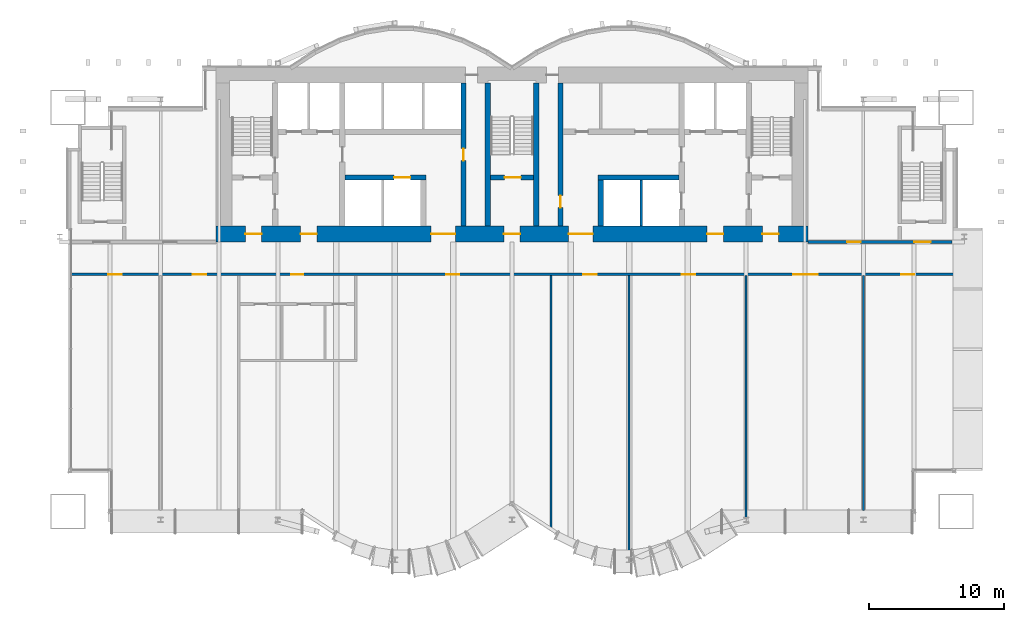
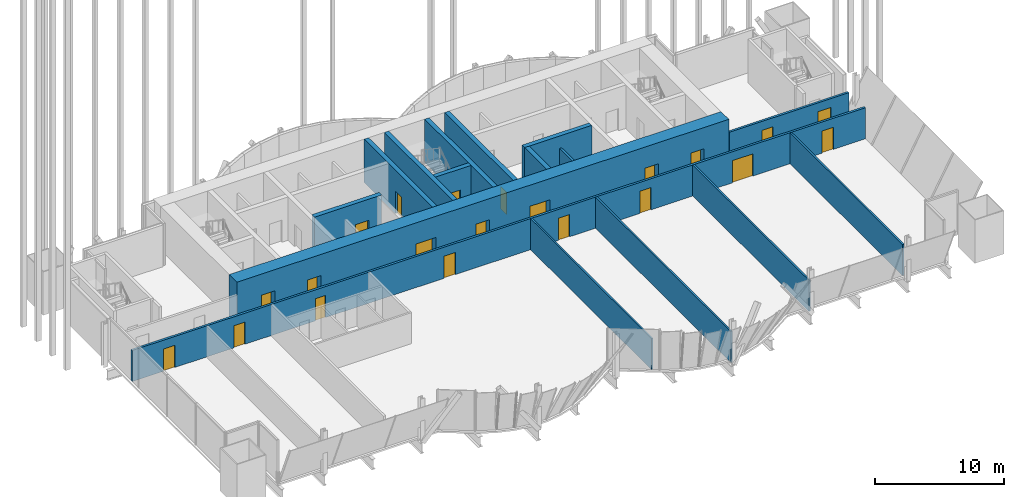
# One storey, part 29 of 33: 21 doors, 16 walls, 21 openings.
"""IFC4 building model written with IfcOpenShell, lengths in metres."""

from ifc_helpers import new_model, si_unit, direction, frame, frame_2d, origin, place, context, subcontext, project, spatial, rectangle, extrude, material, layer, layer_set, type_object, element, fill, save


model = new_model("IFC4")

# Units and contexts
model_context = context("Model", 3, precision=1e-05, world=origin(), true_north=direction((0.0, 1.0)))
body_context = subcontext(model_context, "Body", "Model", "MODEL_VIEW")
ifc_project = project(units=[si_unit("LENGTHUNIT", "METRE"), si_unit("AREAUNIT", "SQUARE_METRE"), si_unit("VOLUMEUNIT", "CUBIC_METRE"), si_unit("PLANEANGLEUNIT", "RADIAN"), si_unit("MASSUNIT", "GRAM", prefix="KILO")], contexts=[model_context])

# Site, building, storey
site_placement = place(None, origin())
site = spatial("IfcSite", under=ifc_project, at=site_placement, CompositionType="ELEMENT")
building_placement = place(site_placement, origin())
building = spatial("IfcBuilding", under=site, at=building_placement, Name="Bicima Exchange Tower", CompositionType="ELEMENT")
storey_placement = place(building_placement, frame((0.0, 0.0, 140.39990234375)))
storey = spatial("IfcBuildingStorey", under=building, at=storey_placement, Name="L30", CompositionType="ELEMENT", Elevation=140.39990234375)

# Wall
ifc_material_1 = material(Name="Gypsum board partition")
ifc_layer_1 = layer(ifc_material_1, 0.199951171875)
ifc_layer_set_1 = layer_set([ifc_layer_1], Name="Gypsum board partition")
wall_type_1 = type_object("IfcWallType", Name="Fire-rated gypsum partition 200 EI120", PredefinedType="PARTITIONING", material=ifc_layer_set_1)
wall_1_placement = place(storey_placement, frame((9.60009765625, -11.800048828125, 0.0), z_axis=(0.0, 0.0, 1.0), x_axis=(0.0, 1.0, 0.0)))
element("IfcWall", 1, at=wall_1_placement, inside=storey, type_object=wall_type_1, Name="partition wall 21", PredefinedType="PARTITIONING", context=body_context, shape_type="SweptSolid", body=[
    extrude(rectangle(XDim=3.400146484375, YDim=0.199951171875, at=frame_2d((1.7001953125, 0.0))), origin(), (0.0, 0.0, 1.0), 2.939453125),
])

# Wall, openings, doors
ifc_layer_2 = layer(ifc_material_1, 0.199951171875)
ifc_layer_set_2 = layer_set([ifc_layer_2], Name="Gypsum board partition")
wall_type_2 = type_object("IfcWallType", Name="Fire-rated gypsum partition 200 EI60", PredefinedType="PARTITIONING", material=ifc_layer_set_2)
wall_2_placement = place(storey_placement, frame((-32.7900390625, -15.39990234375, 0.0), z_axis=(0.0, 0.0, 1.0), x_axis=(1.0, 0.0, 0.0)))
wall_2 = element("IfcWall", 2, at=wall_2_placement, inside=storey, type_object=wall_type_2, Name="partition wall 3", PredefinedType="PARTITIONING", context=body_context, shape_type="SweptSolid", body=[
    extrude(rectangle(XDim=65.580078125, YDim=0.199951171875, at=frame_2d((32.7900390625, 0.0))), origin(), (0.0, 0.0, 1.0), 2.939453125),
])
opening_1_placement = place(wall_2_placement, frame((2.800048828125, 0.0, 0.0)))
opening_1 = element("IfcOpeningElement", 3, at=opening_1_placement, cuts=wall_2, Name="Opening L30-007", PredefinedType="OPENING", context=body_context, shape_type="SweptSolid", body=[
    extrude(rectangle(XDim=1.0, YDim=2.10009765625, at=frame_2d((0.5, 1.050048828125))), frame((0.0, 0.11181640625, 0.0), z_axis=(0.0, -1.0, 0.0), x_axis=(1.0, 0.0, 0.0)), (0.0, 0.0, 1.0), 0.223876953125),
])
opening_2_placement = place(wall_2_placement, frame((9.090087890625, 0.0, 0.0)))
opening_2 = element("IfcOpeningElement", 4, at=opening_2_placement, cuts=wall_2, Name="Opening L30-008", PredefinedType="OPENING", context=body_context, shape_type="SweptSolid", body=[
    extrude(rectangle(XDim=1.0, YDim=2.10009765625, at=frame_2d((0.5, 1.050048828125))), frame((0.0, 0.11181640625, 0.0), z_axis=(0.0, -1.0, 0.0), x_axis=(1.0, 0.0, 0.0)), (0.0, 0.0, 1.0), 0.223876953125),
])
opening_3_placement = place(wall_2_placement, frame((16.389892578125, 0.0, 0.0)))
opening_3 = element("IfcOpeningElement", 5, at=opening_3_placement, cuts=wall_2, Name="Opening L30-009", PredefinedType="OPENING", context=body_context, shape_type="SweptSolid", body=[
    extrude(rectangle(XDim=0.89990234375, YDim=2.10009765625, at=frame_2d((0.449951171875, 1.050048828125))), frame((0.0, 0.11181640625, 0.0), z_axis=(0.0, -1.0, 0.0), x_axis=(1.0, 0.0, 0.0)), (0.0, 0.0, 1.0), 0.223876953125),
])
opening_4_placement = place(wall_2_placement, frame((27.889892578125, 0.0, 0.0)))
opening_4 = element("IfcOpeningElement", 6, at=opening_4_placement, cuts=wall_2, Name="Opening L30-013", PredefinedType="OPENING", context=body_context, shape_type="SweptSolid", body=[
    extrude(rectangle(XDim=1.0, YDim=2.10009765625, at=frame_2d((0.5, 1.050048828125))), frame((0.0, 0.11181640625, 0.0), z_axis=(0.0, -1.0, 0.0), x_axis=(1.0, 0.0, 0.0)), (0.0, 0.0, 1.0), 0.223876953125),
])
opening_5_placement = place(wall_2_placement, frame((38.090087890625, 0.0, 0.0)))
opening_5 = element("IfcOpeningElement", 7, at=opening_5_placement, cuts=wall_2, Name="Opening L30-014", PredefinedType="OPENING", context=body_context, shape_type="SweptSolid", body=[
    extrude(rectangle(XDim=1.0, YDim=2.10009765625, at=frame_2d((0.5, 1.050048828125))), frame((0.0, 0.11181640625, 0.0), z_axis=(0.0, -1.0, 0.0), x_axis=(1.0, 0.0, 0.0)), (0.0, 0.0, 1.0), 0.223876953125),
])
opening_6_placement = place(wall_2_placement, frame((45.389892578125, 0.0, 0.0)))
opening_6 = element("IfcOpeningElement", 8, at=opening_6_placement, cuts=wall_2, Name="Opening L30-015", PredefinedType="OPENING", context=body_context, shape_type="SweptSolid", body=[
    extrude(rectangle(XDim=1.0, YDim=2.10009765625, at=frame_2d((0.5, 1.050048828125))), frame((0.0, 0.11181640625, 0.0), z_axis=(0.0, -1.0, 0.0), x_axis=(1.0, 0.0, 0.0)), (0.0, 0.0, 1.0), 0.223876953125),
])
opening_7_placement = place(wall_2_placement, frame((53.68994140625, 0.0, 0.0)))
opening_7 = element("IfcOpeningElement", 9, at=opening_7_placement, cuts=wall_2, Name="Opening L30-016", PredefinedType="OPENING", context=body_context, shape_type="SweptSolid", body=[
    extrude(rectangle(XDim=1.800048828125, YDim=2.10009765625, at=frame_2d((0.89990234375, 1.050048828125))), frame((0.0, 0.11181640625, 0.0), z_axis=(0.0, -1.0, 0.0), x_axis=(1.0, 0.0, 0.0)), (0.0, 0.0, 1.0), 0.223876953125),
])
opening_8_placement = place(wall_2_placement, frame((61.68994140625, 0.0, 0.0)))
opening_8 = element("IfcOpeningElement", 10, at=opening_8_placement, cuts=wall_2, Name="Opening L30-017", PredefinedType="OPENING", context=body_context, shape_type="SweptSolid", body=[
    extrude(rectangle(XDim=1.0, YDim=2.10009765625, at=frame_2d((0.5, 1.050048828125))), frame((0.0, 0.11181640625, 0.0), z_axis=(0.0, -1.0, 0.0), x_axis=(1.0, 0.0, 0.0)), (0.0, 0.0, 1.0), 0.223876953125),
])
ifc_material_2 = material(Name="Steel fire door leaf", Category="steel")
door_type_1 = type_object("IfcDoorType", Name="Door 1000 swing FD30S", OperationType="SINGLE_SWING_LEFT", PredefinedType="DOOR", material=ifc_material_2)
door_1_placement = place(opening_1_placement, frame((1.0, 0.0, 0.0), z_axis=(0.0, 0.0, 1.0), x_axis=(-1.0, 0.0, 0.0)))
door_1 = element("IfcDoor", 11, at=door_1_placement, inside=storey, type_object=door_type_1, Name="Door", OperationType="SINGLE_SWING_LEFT", OverallHeight=2.10009765625, OverallWidth=1.0, PredefinedType="DOOR", context=body_context, shape_type="SweptSolid", body=[
    extrude(rectangle(XDim=1.0, YDim=2.10009765625, at=frame_2d((0.5, 1.050048828125))), frame((0.0, 0.02490234375, 0.0), z_axis=(0.0, -1.0, 0.0), x_axis=(1.0, 0.0, 0.0)), (0.0, 0.0, 1.0), 0.050048828125),
])
fill(opening_1, door_1)
door_2_placement = place(opening_2_placement, frame((1.0, 0.0, 0.0), z_axis=(0.0, 0.0, 1.0), x_axis=(-1.0, 0.0, 0.0)))
door_2 = element("IfcDoor", 12, at=door_2_placement, inside=storey, type_object=door_type_1, Name="Door", OperationType="SINGLE_SWING_RIGHT", OverallHeight=2.10009765625, OverallWidth=1.0, PredefinedType="DOOR", context=body_context, shape_type="SweptSolid", body=[
    extrude(rectangle(XDim=1.0, YDim=2.10009765625, at=frame_2d((0.5, 1.050048828125))), frame((0.0, 0.02490234375, 0.0), z_axis=(0.0, -1.0, 0.0), x_axis=(1.0, 0.0, 0.0)), (0.0, 0.0, 1.0), 0.050048828125),
])
fill(opening_2, door_2)
door_3_placement = place(opening_4_placement, frame((1.0, 0.0, 0.0), z_axis=(0.0, 0.0, 1.0), x_axis=(-1.0, 0.0, 0.0)))
door_3 = element("IfcDoor", 13, at=door_3_placement, inside=storey, type_object=door_type_1, Name="Door", OperationType="SINGLE_SWING_LEFT", OverallHeight=2.10009765625, OverallWidth=1.0, PredefinedType="DOOR", context=body_context, shape_type="SweptSolid", body=[
    extrude(rectangle(XDim=1.0, YDim=2.10009765625, at=frame_2d((0.5, 1.050048828125))), frame((0.0, 0.02490234375, 0.0), z_axis=(0.0, -1.0, 0.0), x_axis=(1.0, 0.0, 0.0)), (0.0, 0.0, 1.0), 0.050048828125),
])
fill(opening_4, door_3)
door_4_placement = place(opening_5_placement, frame((1.0, 0.0, 0.0), z_axis=(0.0, 0.0, 1.0), x_axis=(-1.0, 0.0, 0.0)))
door_4 = element("IfcDoor", 14, at=door_4_placement, inside=storey, type_object=door_type_1, Name="Door", OperationType="SINGLE_SWING_RIGHT", OverallHeight=2.10009765625, OverallWidth=1.0, PredefinedType="DOOR", context=body_context, shape_type="SweptSolid", body=[
    extrude(rectangle(XDim=1.0, YDim=2.10009765625, at=frame_2d((0.5, 1.050048828125))), frame((0.0, 0.02490234375, 0.0), z_axis=(0.0, -1.0, 0.0), x_axis=(1.0, 0.0, 0.0)), (0.0, 0.0, 1.0), 0.050048828125),
])
fill(opening_5, door_4)
door_5_placement = place(opening_6_placement, frame((1.0, 0.0, 0.0), z_axis=(0.0, 0.0, 1.0), x_axis=(-1.0, 0.0, 0.0)))
door_5 = element("IfcDoor", 15, at=door_5_placement, inside=storey, type_object=door_type_1, Name="Door", OperationType="SINGLE_SWING_RIGHT", OverallHeight=2.10009765625, OverallWidth=1.0, PredefinedType="DOOR", context=body_context, shape_type="SweptSolid", body=[
    extrude(rectangle(XDim=1.0, YDim=2.10009765625, at=frame_2d((0.5, 1.050048828125))), frame((0.0, 0.02490234375, 0.0), z_axis=(0.0, -1.0, 0.0), x_axis=(1.0, 0.0, 0.0)), (0.0, 0.0, 1.0), 0.050048828125),
])
fill(opening_6, door_5)
door_6_placement = place(opening_8_placement, frame((1.0, 0.0, 0.0), z_axis=(0.0, 0.0, 1.0), x_axis=(-1.0, 0.0, 0.0)))
door_6 = element("IfcDoor", 16, at=door_6_placement, inside=storey, type_object=door_type_1, Name="Door", OperationType="SINGLE_SWING_RIGHT", OverallHeight=2.10009765625, OverallWidth=1.0, PredefinedType="DOOR", context=body_context, shape_type="SweptSolid", body=[
    extrude(rectangle(XDim=1.0, YDim=2.10009765625, at=frame_2d((0.5, 1.050048828125))), frame((0.0, 0.02490234375, 0.0), z_axis=(0.0, -1.0, 0.0), x_axis=(1.0, 0.0, 0.0)), (0.0, 0.0, 1.0), 0.050048828125),
])
fill(opening_8, door_6)
door_type_2 = type_object("IfcDoorType", Name="Door 1800 double swing FD30S", OperationType="DOUBLE_DOOR_SINGLE_SWING", PredefinedType="DOOR", material=ifc_material_2)
door_7_placement = place(opening_7_placement, origin())
door_7 = element("IfcDoor", 17, at=door_7_placement, inside=storey, type_object=door_type_2, Name="Door", OperationType="SINGLE_SWING_LEFT", OverallHeight=2.10009765625, OverallWidth=1.800048828125, PredefinedType="DOOR", context=body_context, shape_type="SweptSolid", body=[
    extrude(rectangle(XDim=1.800048828125, YDim=2.10009765625, at=frame_2d((0.89990234375, 1.050048828125))), frame((0.0, 0.02490234375, 0.0), z_axis=(0.0, -1.0, 0.0), x_axis=(1.0, 0.0, 0.0)), (0.0, 0.0, 1.0), 0.050048828125),
])
fill(opening_7, door_7)
door_type_3 = type_object("IfcDoorType", Name="Door 900 swing FD30S", OperationType="SINGLE_SWING_LEFT", PredefinedType="DOOR", material=ifc_material_2)
door_8_placement = place(opening_3_placement, frame((0.89990234375, 0.0, 0.0), z_axis=(0.0, 0.0, 1.0), x_axis=(-1.0, 0.0, 0.0)))
door_8 = element("IfcDoor", 18, at=door_8_placement, inside=storey, type_object=door_type_3, Name="Door", OperationType="SINGLE_SWING_RIGHT", OverallHeight=2.10009765625, OverallWidth=0.89990234375, PredefinedType="DOOR", context=body_context, shape_type="SweptSolid", body=[
    extrude(rectangle(XDim=0.89990234375, YDim=2.10009765625, at=frame_2d((0.449951171875, 1.050048828125))), frame((0.0, 0.02490234375, 0.0), z_axis=(0.0, -1.0, 0.0), x_axis=(1.0, 0.0, 0.0)), (0.0, 0.0, 1.0), 0.050048828125),
])
fill(opening_3, door_8)

wall_3_placement = place(storey_placement, frame((22.0, -13.0, 0.0), z_axis=(0.0, 0.0, 1.0), x_axis=(1.0, 0.0, 0.0)))
wall_3 = element("IfcWall", 19, at=wall_3_placement, inside=storey, type_object=wall_type_2, Name="partition wall 5", PredefinedType="PARTITIONING", context=body_context, shape_type="SweptSolid", body=[
    extrude(rectangle(XDim=10.699951171875, YDim=0.199951171875, at=frame_2d((5.35009765625, 0.0))), origin(), (0.0, 0.0, 1.0), 2.939453125),
])
opening_9_placement = place(wall_3_placement, frame((7.89990234375, 0.0, 0.0)))
opening_9 = element("IfcOpeningElement", 20, at=opening_9_placement, cuts=wall_3, Name="Opening L30-003", PredefinedType="OPENING", context=body_context, shape_type="SweptSolid", body=[
    extrude(rectangle(XDim=1.199951171875, YDim=2.10009765625, at=frame_2d((0.60009765625, 1.050048828125))), frame((0.0, 0.11181640625, 0.0), z_axis=(0.0, -1.0, 0.0), x_axis=(1.0, 0.0, 0.0)), (0.0, 0.0, 1.0), 0.223876953125),
])
opening_10_placement = place(wall_3_placement, frame((2.89990234375, 0.0, 0.0)))
opening_10 = element("IfcOpeningElement", 21, at=opening_10_placement, cuts=wall_3, Name="Opening L30-006", PredefinedType="OPENING", context=body_context, shape_type="SweptSolid", body=[
    extrude(rectangle(XDim=1.0, YDim=2.10009765625, at=frame_2d((0.5, 1.050048828125))), frame((0.0, 0.11181640625, 0.0), z_axis=(0.0, -1.0, 0.0), x_axis=(1.0, 0.0, 0.0)), (0.0, 0.0, 1.0), 0.223876953125),
])
door_9_placement = place(opening_10_placement, origin())
door_9 = element("IfcDoor", 22, at=door_9_placement, inside=storey, type_object=door_type_1, Name="Door", OperationType="SINGLE_SWING_RIGHT", OverallHeight=2.10009765625, OverallWidth=1.0, PredefinedType="DOOR", context=body_context, shape_type="SweptSolid", body=[
    extrude(rectangle(XDim=1.0, YDim=2.10009765625, at=frame_2d((0.5, 1.050048828125))), frame((0.0, 0.02490234375, 0.0), z_axis=(0.0, -1.0, 0.0), x_axis=(1.0, 0.0, 0.0)), (0.0, 0.0, 1.0), 0.050048828125),
])
fill(opening_10, door_9)
door_type_4 = type_object("IfcDoorType", Name="Door 1200 swing FD30S", OperationType="SINGLE_SWING_LEFT", PredefinedType="DOOR", material=ifc_material_2)
door_10_placement = place(opening_9_placement, origin())
door_10 = element("IfcDoor", 23, at=door_10_placement, inside=storey, type_object=door_type_4, Name="Door", OperationType="SINGLE_SWING_RIGHT", OverallHeight=2.10009765625, OverallWidth=1.199951171875, PredefinedType="DOOR", context=body_context, shape_type="SweptSolid", body=[
    extrude(rectangle(XDim=1.199951171875, YDim=2.10009765625, at=frame_2d((0.60009765625, 1.050048828125))), frame((0.0, 0.02490234375, 0.0), z_axis=(0.0, -1.0, 0.0), x_axis=(1.0, 0.0, 0.0)), (0.0, 0.0, 1.0), 0.050048828125),
])
fill(opening_9, door_10)

# Walls
ifc_layer_3 = layer(ifc_material_1, 0.14990234375)
ifc_layer_set_3 = layer_set([ifc_layer_3], Name="Gypsum board partition")
wall_type_3 = type_object("IfcWallType", Name="Gypsum partition 150", PredefinedType="PARTITIONING", material=ifc_layer_set_3)
wall_4_placement = place(storey_placement, frame((2.89990234375, -34.199951171875, 0.0), z_axis=(0.0, 0.0, 1.0), x_axis=(0.0, 1.0, 0.0)))
element("IfcWall", 24, at=wall_4_placement, inside=storey, type_object=wall_type_3, Name="partition wall 20", PredefinedType="PARTITIONING", context=body_context, shape_type="SweptSolid", body=[
    extrude(rectangle(XDim=18.699951171875, YDim=0.14990234375, at=frame_2d((9.35009765625, 0.0))), origin(), (0.0, 0.0, 1.0), 2.939453125),
])
wall_5_placement = place(storey_placement, frame((8.699951171875, -36.4892578125, 0.0), z_axis=(0.0, 0.0, 1.0), x_axis=(0.0, 1.0, 0.0)))
element("IfcWall", 25, at=wall_5_placement, inside=storey, type_object=wall_type_3, Name="partition wall 21", PredefinedType="PARTITIONING", context=body_context, shape_type="SweptSolid", body=[
    extrude(rectangle(XDim=20.9892578125, YDim=0.14990234375, at=frame_2d((10.49462890625, 0.0))), origin(), (0.0, 0.0, 1.0), 2.939453125),
])
wall_6_placement = place(storey_placement, frame((17.39990234375, -33.508056640625, 0.0), z_axis=(0.0, 0.0, 1.0), x_axis=(0.0, 1.0, 0.0)))
element("IfcWall", 26, at=wall_6_placement, inside=storey, type_object=wall_type_3, Name="partition wall 22", PredefinedType="PARTITIONING", context=body_context, shape_type="SweptSolid", body=[
    extrude(rectangle(XDim=18.008056640625, YDim=0.14990234375, at=frame_2d((9.00390625, 0.0))), origin(), (0.0, 0.0, 1.0), 2.939453125),
])
wall_7_placement = place(storey_placement, frame((26.10009765625, -32.929931640625, 0.0), z_axis=(0.0, 0.0, 1.0), x_axis=(0.0, 1.0, 0.0)))
element("IfcWall", 27, at=wall_7_placement, inside=storey, type_object=wall_type_3, Name="partition wall 23", PredefinedType="PARTITIONING", context=body_context, shape_type="SweptSolid", body=[
    extrude(rectangle(XDim=17.429931640625, YDim=0.14990234375, at=frame_2d((8.71484375, 0.0))), origin(), (0.0, 0.0, 1.0), 2.939453125),
])

# Wall, openings, doors
ifc_material_3 = material(Name="Concrete C50/60", Category="concrete")
ifc_layer_4 = layer(ifc_material_3, 1.199951171875)
ifc_layer_set_4 = layer_set([ifc_layer_4], Name="Concrete C50/60")
wall_type_4 = type_object("IfcWallType", Name="RC core wall 1200 C50/60", PredefinedType="SHEAR", material=ifc_layer_set_4)
wall_8_placement = place(storey_placement, frame((-22.0, -12.39990234375, 0.0), z_axis=(0.0, 0.0, 1.0), x_axis=(1.0, 0.0, 0.0)))
wall_8 = element("IfcWall", 28, at=wall_8_placement, inside=storey, type_object=wall_type_4, Name="Core wall south", PredefinedType="SHEAR", context=body_context, shape_type="SweptSolid", body=[
    extrude(rectangle(XDim=44.0, YDim=1.199951171875, at=frame_2d((22.0, 0.0))), origin(), (0.0, 0.0, 1.0), 4.10009765625),
])
opening_11_placement = place(wall_8_placement, frame((2.199951171875, 0.0, 0.0)))
opening_11 = element("IfcOpeningElement", 29, at=opening_11_placement, cuts=wall_8, Name="Opening L30-C16", PredefinedType="OPENING", context=body_context, shape_type="SweptSolid", body=[
    extrude(rectangle(XDim=1.199951171875, YDim=2.10009765625, at=frame_2d((0.60009765625, 1.050048828125))), frame((0.0, 0.61181640625, 0.0), z_axis=(0.0, -1.0, 0.0), x_axis=(1.0, 0.0, 0.0)), (0.0, 0.0, 1.0), 1.223876953125),
])
opening_12_placement = place(wall_8_placement, frame((21.39990234375, 0.0, 0.0)))
opening_12 = element("IfcOpeningElement", 30, at=opening_12_placement, cuts=wall_8, Name="Opening L30-C17", PredefinedType="OPENING", context=body_context, shape_type="SweptSolid", body=[
    extrude(rectangle(XDim=1.199951171875, YDim=2.10009765625, at=frame_2d((0.60009765625, 1.050048828125))), frame((0.0, 0.61181640625, 0.0), z_axis=(0.0, -1.0, 0.0), x_axis=(1.0, 0.0, 0.0)), (0.0, 0.0, 1.0), 1.223876953125),
])
opening_13_placement = place(wall_8_placement, frame((40.60009765625, 0.0, 0.0)))
opening_13 = element("IfcOpeningElement", 31, at=opening_13_placement, cuts=wall_8, Name="Opening L30-C18", PredefinedType="OPENING", context=body_context, shape_type="SweptSolid", body=[
    extrude(rectangle(XDim=1.199951171875, YDim=2.10009765625, at=frame_2d((0.60009765625, 1.050048828125))), frame((0.0, 0.61181640625, 0.0), z_axis=(0.0, -1.0, 0.0), x_axis=(1.0, 0.0, 0.0)), (0.0, 0.0, 1.0), 1.223876953125),
])
opening_14_placement = place(wall_8_placement, frame((16.0, 0.0, 0.0)))
opening_14 = element("IfcOpeningElement", 32, at=opening_14_placement, cuts=wall_8, Name="Opening L30-C19", PredefinedType="OPENING", context=body_context, shape_type="SweptSolid", body=[
    extrude(rectangle(XDim=1.800048828125, YDim=2.10009765625, at=frame_2d((0.89990234375, 1.050048828125))), frame((0.0, 0.61181640625, 0.0), z_axis=(0.0, -1.0, 0.0), x_axis=(1.0, 0.0, 0.0)), (0.0, 0.0, 1.0), 1.223876953125),
])
opening_15_placement = place(wall_8_placement, frame((6.300048828125, 0.0, 0.0)))
opening_15 = element("IfcOpeningElement", 33, at=opening_15_placement, cuts=wall_8, Name="Opening L30-C20", PredefinedType="OPENING", context=body_context, shape_type="SweptSolid", body=[
    extrude(rectangle(XDim=1.199951171875, YDim=2.10009765625, at=frame_2d((0.60009765625, 1.050048828125))), frame((0.0, 0.61181640625, 0.0), z_axis=(0.0, -1.0, 0.0), x_axis=(1.0, 0.0, 0.0)), (0.0, 0.0, 1.0), 1.223876953125),
])
opening_16_placement = place(wall_8_placement, frame((26.199951171875, 0.0, 0.0)))
opening_16 = element("IfcOpeningElement", 34, at=opening_16_placement, cuts=wall_8, Name="Opening L30-C21", PredefinedType="OPENING", context=body_context, shape_type="SweptSolid", body=[
    extrude(rectangle(XDim=1.800048828125, YDim=2.10009765625, at=frame_2d((0.89990234375, 1.050048828125))), frame((0.0, 0.61181640625, 0.0), z_axis=(0.0, -1.0, 0.0), x_axis=(1.0, 0.0, 0.0)), (0.0, 0.0, 1.0), 1.223876953125),
])
opening_17_placement = place(wall_8_placement, frame((36.5, 0.0, 0.0)))
opening_17 = element("IfcOpeningElement", 35, at=opening_17_placement, cuts=wall_8, Name="Opening L30-C22", PredefinedType="OPENING", context=body_context, shape_type="SweptSolid", body=[
    extrude(rectangle(XDim=1.199951171875, YDim=2.10009765625, at=frame_2d((0.60009765625, 1.050048828125))), frame((0.0, 0.61181640625, 0.0), z_axis=(0.0, -1.0, 0.0), x_axis=(1.0, 0.0, 0.0)), (0.0, 0.0, 1.0), 1.223876953125),
])
door_type_5 = type_object("IfcDoorType", Name="Door 1200 swing FD60S", OperationType="SINGLE_SWING_LEFT", PredefinedType="DOOR", material=ifc_material_2)
door_11_placement = place(opening_11_placement, frame((1.199951171875, 0.0, 0.0), z_axis=(0.0, 0.0, 1.0), x_axis=(-1.0, 0.0, 0.0)))
door_11 = element("IfcDoor", 36, at=door_11_placement, inside=storey, type_object=door_type_5, Name="Core door", OperationType="SINGLE_SWING_RIGHT", OverallHeight=2.10009765625, OverallWidth=1.199951171875, PredefinedType="DOOR", context=body_context, shape_type="SweptSolid", body=[
    extrude(rectangle(XDim=1.199951171875, YDim=2.10009765625, at=frame_2d((0.60009765625, 1.050048828125))), frame((0.0, 0.02490234375, 0.0), z_axis=(0.0, -1.0, 0.0), x_axis=(1.0, 0.0, 0.0)), (0.0, 0.0, 1.0), 0.050048828125),
])
fill(opening_11, door_11)
door_12_placement = place(opening_12_placement, frame((1.199951171875, 0.0, 0.0), z_axis=(0.0, 0.0, 1.0), x_axis=(-1.0, 0.0, 0.0)))
door_12 = element("IfcDoor", 37, at=door_12_placement, inside=storey, type_object=door_type_5, Name="Core door", OperationType="SINGLE_SWING_RIGHT", OverallHeight=2.10009765625, OverallWidth=1.199951171875, PredefinedType="DOOR", context=body_context, shape_type="SweptSolid", body=[
    extrude(rectangle(XDim=1.199951171875, YDim=2.10009765625, at=frame_2d((0.60009765625, 1.050048828125))), frame((0.0, 0.02490234375, 0.0), z_axis=(0.0, -1.0, 0.0), x_axis=(1.0, 0.0, 0.0)), (0.0, 0.0, 1.0), 0.050048828125),
])
fill(opening_12, door_12)
door_13_placement = place(opening_13_placement, frame((1.199951171875, 0.0, 0.0), z_axis=(0.0, 0.0, 1.0), x_axis=(-1.0, 0.0, 0.0)))
door_13 = element("IfcDoor", 38, at=door_13_placement, inside=storey, type_object=door_type_5, Name="Core door", OperationType="SINGLE_SWING_RIGHT", OverallHeight=2.10009765625, OverallWidth=1.199951171875, PredefinedType="DOOR", context=body_context, shape_type="SweptSolid", body=[
    extrude(rectangle(XDim=1.199951171875, YDim=2.10009765625, at=frame_2d((0.60009765625, 1.050048828125))), frame((0.0, 0.02490234375, 0.0), z_axis=(0.0, -1.0, 0.0), x_axis=(1.0, 0.0, 0.0)), (0.0, 0.0, 1.0), 0.050048828125),
])
fill(opening_13, door_13)
door_14_placement = place(opening_15_placement, frame((1.199951171875, 0.0, 0.0), z_axis=(0.0, 0.0, 1.0), x_axis=(-1.0, 0.0, 0.0)))
door_14 = element("IfcDoor", 39, at=door_14_placement, inside=storey, type_object=door_type_5, Name="Core door", OperationType="SINGLE_SWING_RIGHT", OverallHeight=2.10009765625, OverallWidth=1.199951171875, PredefinedType="DOOR", context=body_context, shape_type="SweptSolid", body=[
    extrude(rectangle(XDim=1.199951171875, YDim=2.10009765625, at=frame_2d((0.60009765625, 1.050048828125))), frame((0.0, 0.02490234375, 0.0), z_axis=(0.0, -1.0, 0.0), x_axis=(1.0, 0.0, 0.0)), (0.0, 0.0, 1.0), 0.050048828125),
])
fill(opening_15, door_14)
door_15_placement = place(opening_17_placement, frame((1.199951171875, 0.0, 0.0), z_axis=(0.0, 0.0, 1.0), x_axis=(-1.0, 0.0, 0.0)))
door_15 = element("IfcDoor", 40, at=door_15_placement, inside=storey, type_object=door_type_5, Name="Core door", OperationType="SINGLE_SWING_RIGHT", OverallHeight=2.10009765625, OverallWidth=1.199951171875, PredefinedType="DOOR", context=body_context, shape_type="SweptSolid", body=[
    extrude(rectangle(XDim=1.199951171875, YDim=2.10009765625, at=frame_2d((0.60009765625, 1.050048828125))), frame((0.0, 0.02490234375, 0.0), z_axis=(0.0, -1.0, 0.0), x_axis=(1.0, 0.0, 0.0)), (0.0, 0.0, 1.0), 0.050048828125),
])
fill(opening_17, door_15)
door_16_placement = place(opening_14_placement, origin())
door_16 = element("IfcDoor", 41, at=door_16_placement, inside=storey, type_object=door_type_2, Name="Core door", OperationType="SINGLE_SWING_LEFT", OverallHeight=2.10009765625, OverallWidth=1.800048828125, PredefinedType="DOOR", context=body_context, shape_type="SweptSolid", body=[
    extrude(rectangle(XDim=1.800048828125, YDim=2.10009765625, at=frame_2d((0.89990234375, 1.050048828125))), frame((0.0, 0.02490234375, 0.0), z_axis=(0.0, -1.0, 0.0), x_axis=(1.0, 0.0, 0.0)), (0.0, 0.0, 1.0), 0.050048828125),
])
fill(opening_14, door_16)
door_17_placement = place(opening_16_placement, origin())
door_17 = element("IfcDoor", 42, at=door_17_placement, inside=storey, type_object=door_type_2, Name="Core door", OperationType="SINGLE_SWING_LEFT", OverallHeight=2.10009765625, OverallWidth=1.800048828125, PredefinedType="DOOR", context=body_context, shape_type="SweptSolid", body=[
    extrude(rectangle(XDim=1.800048828125, YDim=2.10009765625, at=frame_2d((0.89990234375, 1.050048828125))), frame((0.0, 0.02490234375, 0.0), z_axis=(0.0, -1.0, 0.0), x_axis=(1.0, 0.0, 0.0)), (0.0, 0.0, 1.0), 0.050048828125),
])
fill(opening_16, door_17)

# Wall, opening, door
ifc_layer_5 = layer(ifc_material_3, 0.39990234375)
ifc_layer_set_5 = layer_set([ifc_layer_5], Name="Concrete C50/60")
wall_type_5 = type_object("IfcWallType", Name="RC core wall 400 C50/60", PredefinedType="SHEAR", material=ifc_layer_set_5)
wall_9_placement = place(storey_placement, frame((-12.39990234375, -8.199951171875, 0.0), z_axis=(0.0, 0.0, 1.0), x_axis=(1.0, 0.0, 0.0)))
wall_9 = element("IfcWall", 43, at=wall_9_placement, inside=storey, type_object=wall_type_5, Name="shear wall 2", PredefinedType="SHEAR", context=body_context, shape_type="SweptSolid", body=[
    extrude(rectangle(XDim=6.0, YDim=0.39990234375, at=frame_2d((3.0, 0.0))), origin(), (0.0, 0.0, 1.0), 4.10009765625),
])
opening_18_placement = place(wall_9_placement, frame((3.64990234375, 0.0, 0.0)))
opening_18 = element("IfcOpeningElement", 44, at=opening_18_placement, cuts=wall_9, Name="Opening LD-MB1-L30", PredefinedType="OPENING", context=body_context, shape_type="SweptSolid", body=[
    extrude(rectangle(XDim=1.199951171875, YDim=2.10009765625, at=frame_2d((0.60009765625, 1.050048828125))), frame((0.0, 0.2119140625, 0.0), z_axis=(0.0, -1.0, 0.0), x_axis=(1.0, 0.0, 0.0)), (0.0, 0.0, 1.0), 0.423828125),
])
ifc_material_4 = material(Name="Stainless steel", Category="steel")
door_type_6 = type_object("IfcDoorType", Name="Lift landing door 1200 sliding", OperationType="DOUBLE_DOOR_SLIDING", PredefinedType="DOOR", material=ifc_material_4)
door_18_placement = place(opening_18_placement, origin())
door_18 = element("IfcDoor", 45, at=door_18_placement, inside=storey, type_object=door_type_6, Name="Lift landing door MB1", OperationType="DOUBLE_DOOR_SLIDING", OverallHeight=2.10009765625, OverallWidth=1.199951171875, PredefinedType="DOOR", context=body_context, shape_type="SweptSolid", body=[
    extrude(rectangle(XDim=1.199951171875, YDim=2.10009765625, at=frame_2d((0.60009765625, 1.050048828125))), frame((0.0, 0.02490234375, 0.0), z_axis=(0.0, -1.0, 0.0), x_axis=(1.0, 0.0, 0.0)), (0.0, 0.0, 1.0), 0.050048828125),
])
fill(opening_18, door_18)

wall_10_placement = place(storey_placement, frame((-1.60009765625, -8.199951171875, 0.0), z_axis=(0.0, 0.0, 1.0), x_axis=(1.0, 0.0, 0.0)))
wall_10 = element("IfcWall", 46, at=wall_10_placement, inside=storey, type_object=wall_type_5, Name="stair wall 3", PredefinedType="SHEAR", context=body_context, shape_type="SweptSolid", body=[
    extrude(rectangle(XDim=3.2001953125, YDim=0.39990234375, at=frame_2d((1.60009765625, 0.0))), origin(), (0.0, 0.0, 1.0), 4.10009765625),
])
opening_19_placement = place(wall_10_placement, frame((1.050048828125, 0.0, 0.0)))
opening_19 = element("IfcOpeningElement", 47, at=opening_19_placement, cuts=wall_10, Name="Opening L30-C03", PredefinedType="OPENING", context=body_context, shape_type="SweptSolid", body=[
    extrude(rectangle(XDim=1.199951171875, YDim=2.10009765625, at=frame_2d((0.60009765625, 1.050048828125))), frame((0.0, 0.2119140625, 0.0), z_axis=(0.0, -1.0, 0.0), x_axis=(1.0, 0.0, 0.0)), (0.0, 0.0, 1.0), 0.423828125),
])
door_19_placement = place(opening_19_placement, origin())
door_19 = element("IfcDoor", 48, at=door_19_placement, inside=storey, type_object=door_type_5, Name="Core door", OperationType="SINGLE_SWING_LEFT", OverallHeight=2.10009765625, OverallWidth=1.199951171875, PredefinedType="DOOR", context=body_context, shape_type="SweptSolid", body=[
    extrude(rectangle(XDim=1.199951171875, YDim=2.10009765625, at=frame_2d((0.60009765625, 1.050048828125))), frame((0.0, 0.02490234375, 0.0), z_axis=(0.0, -1.0, 0.0), x_axis=(1.0, 0.0, 0.0)), (0.0, 0.0, 1.0), 0.050048828125),
])
fill(opening_19, door_19)

# Wall
wall_11_placement = place(storey_placement, frame((6.39990234375, -8.199951171875, 0.0), z_axis=(0.0, 0.0, 1.0), x_axis=(1.0, 0.0, 0.0)))
element("IfcWall", 49, at=wall_11_placement, inside=storey, type_object=wall_type_5, Name="shear wall 4", PredefinedType="SHEAR", context=body_context, shape_type="SweptSolid", body=[
    extrude(rectangle(XDim=6.0, YDim=0.39990234375, at=frame_2d((3.0, 0.0))), origin(), (0.0, 0.0, 1.0), 4.10009765625),
])

# Wall, opening, door
wall_12_placement = place(storey_placement, frame((-3.60009765625, -11.800048828125, 0.0), z_axis=(0.0, 0.0, 1.0), x_axis=(0.0, 1.0, 0.0)))
wall_12 = element("IfcWall", 50, at=wall_12_placement, inside=storey, type_object=wall_type_5, Name="shear wall 15", PredefinedType="SHEAR", context=body_context, shape_type="SweptSolid", body=[
    extrude(rectangle(XDim=10.60009765625, YDim=0.39990234375, at=frame_2d((5.300048828125, 0.0))), origin(), (0.0, 0.0, 1.0), 4.10009765625),
])
opening_20_placement = place(wall_12_placement, frame((4.85009765625, 0.0, 0.0)))
opening_20 = element("IfcOpeningElement", 51, at=opening_20_placement, cuts=wall_12, Name="Opening L30-C10", PredefinedType="OPENING", context=body_context, shape_type="SweptSolid", body=[
    extrude(rectangle(XDim=0.89990234375, YDim=2.10009765625, at=frame_2d((0.449951171875, 1.050048828125))), frame((0.0, 0.2119140625, 0.0), z_axis=(0.0, -1.0, 0.0), x_axis=(1.0, 0.0, 0.0)), (0.0, 0.0, 1.0), 0.423828125),
])
door_20_placement = place(opening_20_placement, frame((0.89990234375, 0.0, 0.0), z_axis=(0.0, 0.0, 1.0), x_axis=(-1.0, 0.0, 0.0)))
door_20 = element("IfcDoor", 52, at=door_20_placement, inside=storey, type_object=door_type_3, Name="Core door", OperationType="SINGLE_SWING_LEFT", OverallHeight=2.10009765625, OverallWidth=0.89990234375, PredefinedType="DOOR", context=body_context, shape_type="SweptSolid", body=[
    extrude(rectangle(XDim=0.89990234375, YDim=2.10009765625, at=frame_2d((0.449951171875, 1.050048828125))), frame((0.0, 0.02490234375, 0.0), z_axis=(0.0, -1.0, 0.0), x_axis=(1.0, 0.0, 0.0)), (0.0, 0.0, 1.0), 0.050048828125),
])
fill(opening_20, door_20)

# Walls
for number, where, z_axis, x_axis, name in (
    (53, (-1.800048828125, -11.800048828125, 0.0), (0.0, 0.0, 1.0), (0.0, 1.0, 0.0), "stair wall 16"),
    (54, (1.800048828125, -11.800048828125, 0.0), (0.0, 0.0, 1.0), (0.0, 1.0, 0.0), "stair wall 17"),
):
    element("IfcWall", number, at=place(storey_placement, frame(where, z_axis=z_axis, x_axis=x_axis)), inside=storey, type_object=wall_type_5, Name=name, PredefinedType="SHEAR", context=body_context, shape_type="SweptSolid", body=[
        extrude(rectangle(XDim=10.60009765625, YDim=0.39990234375, at=frame_2d((5.300048828125, 0.0))), origin(), (0.0, 0.0, 1.0), 4.10009765625),
    ])

# Wall, opening, door
wall_13_placement = place(storey_placement, frame((3.60009765625, -11.800048828125, 0.0), z_axis=(0.0, 0.0, 1.0), x_axis=(0.0, 1.0, 0.0)))
wall_13 = element("IfcWall", 55, at=wall_13_placement, inside=storey, type_object=wall_type_5, Name="shear wall 18", PredefinedType="SHEAR", context=body_context, shape_type="SweptSolid", body=[
    extrude(rectangle(XDim=10.60009765625, YDim=0.39990234375, at=frame_2d((5.300048828125, 0.0))), origin(), (0.0, 0.0, 1.0), 4.10009765625),
])
opening_21_placement = place(wall_13_placement, frame((1.35009765625, 0.0, 0.0)))
opening_21 = element("IfcOpeningElement", 56, at=opening_21_placement, cuts=wall_13, Name="Opening L30-C11", PredefinedType="OPENING", context=body_context, shape_type="SweptSolid", body=[
    extrude(rectangle(XDim=0.89990234375, YDim=2.10009765625, at=frame_2d((0.449951171875, 1.050048828125))), frame((0.0, 0.2119140625, 0.0), z_axis=(0.0, -1.0, 0.0), x_axis=(1.0, 0.0, 0.0)), (0.0, 0.0, 1.0), 0.423828125),
])
door_21_placement = place(opening_21_placement, origin())
door_21 = element("IfcDoor", 57, at=door_21_placement, inside=storey, type_object=door_type_3, Name="Core door", OperationType="SINGLE_SWING_LEFT", OverallHeight=2.10009765625, OverallWidth=0.89990234375, PredefinedType="DOOR", context=body_context, shape_type="SweptSolid", body=[
    extrude(rectangle(XDim=0.89990234375, YDim=2.10009765625, at=frame_2d((0.449951171875, 1.050048828125))), frame((0.0, 0.02490234375, 0.0), z_axis=(0.0, -1.0, 0.0), x_axis=(1.0, 0.0, 0.0)), (0.0, 0.0, 1.0), 0.050048828125),
])
fill(opening_21, door_21)

# Wall
wall_14_placement = place(storey_placement, frame((6.60009765625, -11.800048828125, 0.0), z_axis=(0.0, 0.0, 1.0), x_axis=(0.0, 1.0, 0.0)))
element("IfcWall", 58, at=wall_14_placement, inside=storey, type_object=wall_type_5, Name="shear wall 19", PredefinedType="SHEAR", context=body_context, shape_type="SweptSolid", body=[
    extrude(rectangle(XDim=3.400146484375, YDim=0.39990234375, at=frame_2d((1.7001953125, 0.0))), origin(), (0.0, 0.0, 1.0), 4.10009765625),
])

save(model, "model.ifc")
